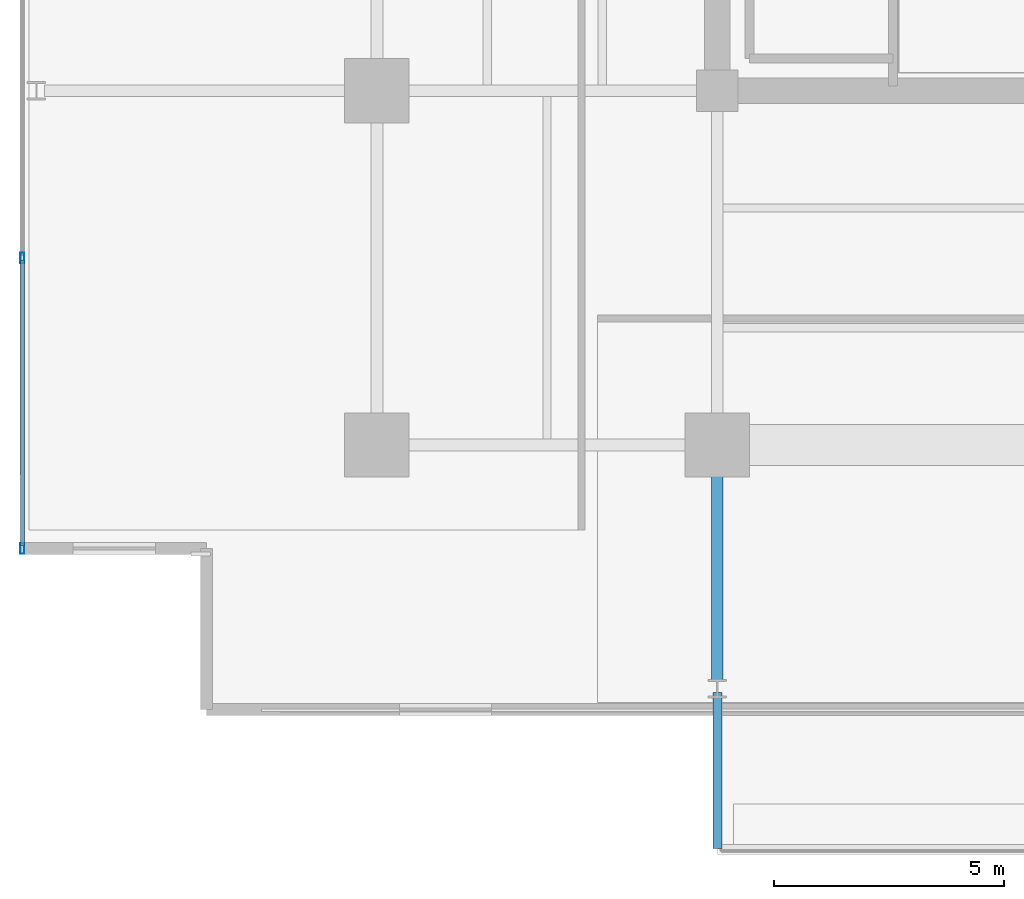
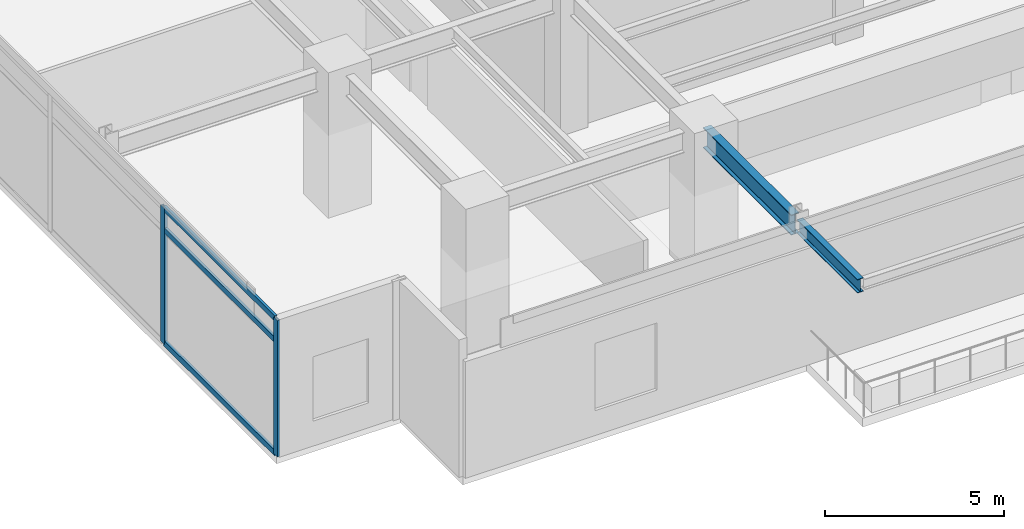
# One storey, part 2 of 25: 5 members, 2 beams, 1 element without a shape of its own.
"""IFC4 building model written with IfcOpenShell, lengths in metres."""

from ifc_helpers import new_model, si_unit, direction, frame, origin, origin_2d, place, context, subcontext, project, spatial, hollow_rectangle, i_section, extrude, material, material_profile, profile_set, type_object, element, aggregate, save


model = new_model("IFC4")

# Units and contexts
model_context = context("Model", 3, precision=1e-05, world=origin(), true_north=direction((0.0, 1.0)))
body_context = subcontext(model_context, "Body", "Model", "MODEL_VIEW")
ifc_project = project(units=[si_unit("LENGTHUNIT", "METRE"), si_unit("AREAUNIT", "SQUARE_METRE"), si_unit("VOLUMEUNIT", "CUBIC_METRE"), si_unit("PLANEANGLEUNIT", "RADIAN"), si_unit("MASSUNIT", "GRAM", prefix="KILO")], contexts=[model_context])

# Site, building, storey
site_placement = place(None, origin())
site = spatial("IfcSite", under=ifc_project, at=site_placement, CompositionType="ELEMENT")
building_placement = place(site_placement, origin())
building = spatial("IfcBuilding", under=site, at=building_placement, Name="Kovane Verandah Tower", CompositionType="ELEMENT")
storey_placement = place(building_placement, frame((0.0, 0.0, 233.199951171875)))
storey = spatial("IfcBuildingStorey", under=building, at=storey_placement, Name="L54", CompositionType="ELEMENT", Elevation=233.199951171875)

# Beam
ifc_material_1 = material(Name="Steel S355", Category="steel")
ifc_material_profile_1 = material_profile(ifc_material_1, i_section(OverallWidth=0.255859375, OverallDepth=0.69287109375, WebThickness=0.014404296875, FlangeThickness=0.023681640625, FilletRadius=0.01513671875, at=origin_2d()), Name="UB686x254x170")
ifc_profile_set_1 = profile_set([ifc_material_profile_1], Name="Steel S355")
beam_type_1 = type_object("IfcBeamType", Name="BM-UB686x170", PredefinedType="BEAM", material=ifc_profile_set_1)
beam_1_placement = place(storey_placement, frame((29.0, 10.6201171875, 4.353759765625), z_axis=(0.0, -1.0, 0.0), x_axis=(1.0, 0.0, 0.0)))
element("IfcBeam", 1, at=beam_1_placement, inside=storey, type_object=beam_type_1, Name="L54 Primary Tower Girder G-VS1", PredefinedType="BEAM", context=body_context, shape_type="SweptSolid", body=[
    extrude(i_section(OverallWidth=0.255859375, OverallDepth=0.69287109375, WebThickness=0.014404296875, FlangeThickness=0.023681640625, FilletRadius=0.01513671875, at=origin_2d()), origin(), (0.0, 0.0, 1.0), 4.940185546875),
])

# Curtain wall, members
ifc_material_2 = material(Name="Champagne Anodised Aluminium Frame with Low-E Clear Laminated Glass", Category="aluminium")
curtain_wall_type = type_object("IfcCurtainWallType", Name="CW-SYS-03-MID", PredefinedType="NOTDEFINED", material=ifc_material_2)
curtain_wall_placement = place(storey_placement, origin())
curtain_wall = element("IfcCurtainWall", 2, at=curtain_wall_placement, inside=storey, type_object=curtain_wall_type, Name="L54 W Unitised Curtain Wall", PredefinedType="NOTDEFINED")
ifc_material_3 = material(Name="Champagne Anodised Aluminium 6063-T6", Category="aluminium")
ifc_material_profile_2 = material_profile(ifc_material_3, hollow_rectangle(XDim=0.0849609375, YDim=0.22998046875, WallThickness=0.00390625, at=origin_2d()), Name="AL85x230x4")
ifc_profile_set_2 = profile_set([ifc_material_profile_2], Name="Champagne Anodised Aluminium 6063-T6")
member_type_1 = type_object("IfcMemberType", Name="CW-MUL-85x230", PredefinedType="MULLION", material=ifc_profile_set_2)
member_1_placement = place(storey_placement, frame((13.892822265625, 14.866943359375, 0.02001953125), z_axis=(0.0, 0.0, 1.0), x_axis=(-1.0, 0.0, 0.0)))
member_1 = element("IfcMember", 3, at=member_1_placement, type_object=member_type_1, Name="L54 W Unitised Curtain Wall Mullion 6", PredefinedType="MULLION", context=body_context, shape_type="SweptSolid", body=[
    extrude(hollow_rectangle(XDim=0.0849609375, YDim=0.22998046875, WallThickness=0.00390625, at=origin_2d()), origin(), (0.0, 0.0, 1.0), 4.659912109375),
])
member_2_placement = place(storey_placement, frame((13.892822265625, 8.55029296875, 0.02001953125), z_axis=(0.0, 0.0, 1.0), x_axis=(-1.0, 0.0, 0.0)))
member_2 = element("IfcMember", 4, at=member_2_placement, type_object=member_type_1, Name="L54 W Unitised Curtain Wall Mullion 7", PredefinedType="MULLION", context=body_context, shape_type="SweptSolid", body=[
    extrude(hollow_rectangle(XDim=0.0849609375, YDim=0.22998046875, WallThickness=0.00390625, at=origin_2d()), origin(), (0.0, 0.0, 1.0), 4.659912109375),
])
ifc_material_profile_3 = material_profile(ifc_material_3, hollow_rectangle(XDim=0.0849609375, YDim=0.18994140625, WallThickness=0.00390625, at=origin_2d()), Name="AL85x190x4")
ifc_profile_set_3 = profile_set([ifc_material_profile_3], Name="Champagne Anodised Aluminium 6063-T6")
member_type_2 = type_object("IfcMemberType", Name="CW-TRN-85x190", PredefinedType="USERDEFINED", material=ifc_profile_set_3)
member_3_placement = place(storey_placement, frame((13.892822265625, 14.81689453125, 0.050048828125), z_axis=(0.0, -1.0, 0.0), x_axis=(1.0, 0.0, 0.0)))
member_3 = element("IfcMember", 5, at=member_3_placement, type_object=member_type_2, Name="L54 W Unitised Curtain Wall Transom TB Bay 6", ObjectType="TRANSOM", PredefinedType="USERDEFINED", context=body_context, shape_type="SweptSolid", body=[
    extrude(hollow_rectangle(XDim=0.0849609375, YDim=0.18994140625, WallThickness=0.00390625, at=origin_2d()), origin(), (0.0, 0.0, 1.0), 6.216552734375),
])
member_4_placement = place(storey_placement, frame((13.892822265625, 14.81689453125, 3.920166015625), z_axis=(0.0, -1.0, 0.0), x_axis=(1.0, 0.0, 0.0)))
member_4 = element("IfcMember", 6, at=member_4_placement, type_object=member_type_2, Name="L54 W Unitised Curtain Wall Transom TM Bay 6", ObjectType="TRANSOM", PredefinedType="USERDEFINED", context=body_context, shape_type="SweptSolid", body=[
    extrude(hollow_rectangle(XDim=0.0849609375, YDim=0.18994140625, WallThickness=0.00390625, at=origin_2d()), origin(), (0.0, 0.0, 1.0), 6.216552734375),
])
member_5_placement = place(storey_placement, frame((13.892822265625, 14.81689453125, 4.650146484375), z_axis=(0.0, -1.0, 0.0), x_axis=(1.0, 0.0, 0.0)))
member_5 = element("IfcMember", 7, at=member_5_placement, type_object=member_type_2, Name="L54 W Unitised Curtain Wall Transom TT Bay 6", ObjectType="TRANSOM", PredefinedType="USERDEFINED", context=body_context, shape_type="SweptSolid", body=[
    extrude(hollow_rectangle(XDim=0.0849609375, YDim=0.18994140625, WallThickness=0.00390625, at=origin_2d()), origin(), (0.0, 0.0, 1.0), 6.216552734375),
])
aggregate(curtain_wall, [member_1, member_2, member_3, member_4, member_5])

# Beam
ifc_material_profile_4 = material_profile(ifc_material_1, i_section(OverallWidth=0.19287109375, OverallDepth=0.46728515625, WebThickness=0.011474609375, FlangeThickness=0.01953125, FilletRadius=0.01025390625, at=origin_2d()), Name="UB457x191x98")
ifc_profile_set_4 = profile_set([ifc_material_profile_4], Name="Steel S355")
beam_type_2 = type_object("IfcBeamType", Name="JST-UB457x98", PredefinedType="JOIST", material=ifc_profile_set_4)
beam_2_placement = place(storey_placement, frame((29.0, 5.419921875, 4.466552734375), z_axis=(0.0, -1.0, 0.0), x_axis=(1.0, 0.0, 0.0)))
element("IfcBeam", 8, at=beam_2_placement, inside=storey, type_object=beam_type_2, Name="L54 South Planter Girder 1", PredefinedType="JOIST", context=body_context, shape_type="SweptSolid", body=[
    extrude(i_section(OverallWidth=0.19287109375, OverallDepth=0.46728515625, WebThickness=0.011474609375, FlangeThickness=0.01953125, FilletRadius=0.01025390625, at=origin_2d()), origin(), (0.0, 0.0, 1.0), 3.393310546875),
])

save(model, "model.ifc")
